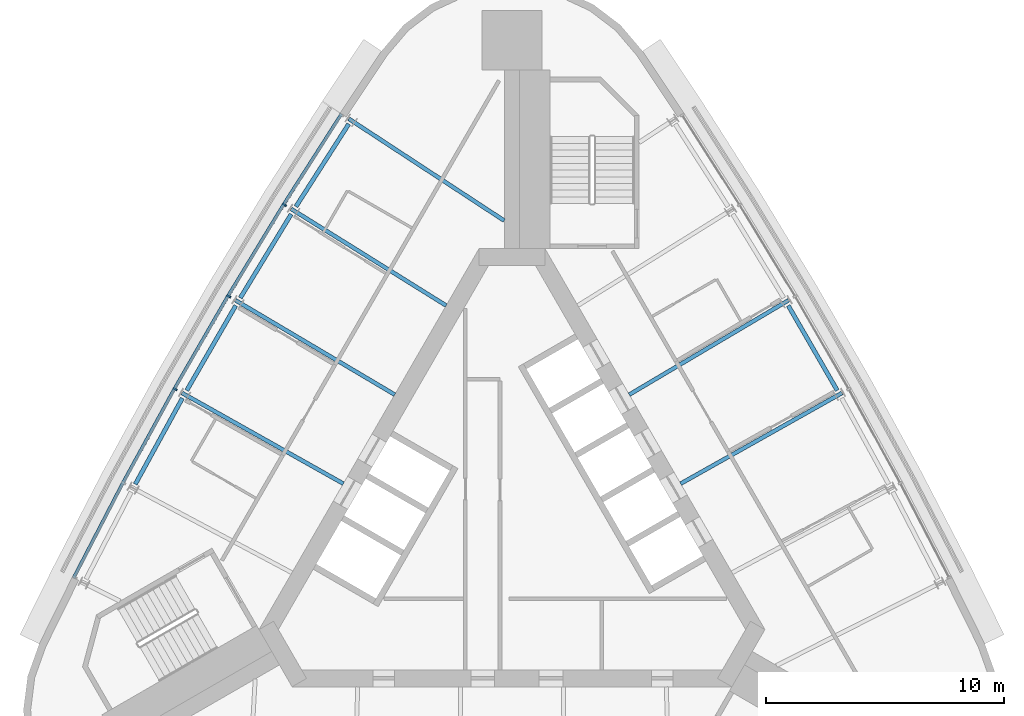
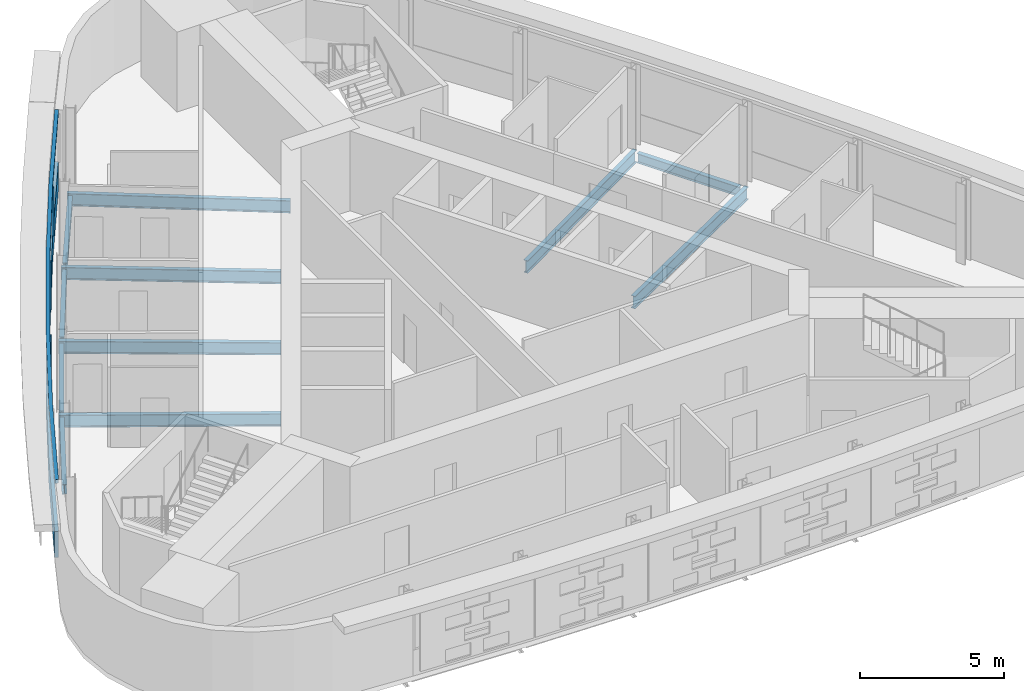
# One storey, part 3 of 9: 11 beams, 5 members, 1 element without a shape of its own.
"""IFC4 building model written with IfcOpenShell, lengths in metres."""

from ifc_helpers import new_model, si_unit, direction, frame, origin, origin_2d, place, context, subcontext, project, spatial, polyline, rectangle, i_section, outline, extrude, material, material_profile, profile_set, type_object, element, aggregate, save


model = new_model("IFC4")

# Units and contexts
model_context = context("Model", 3, precision=1e-05, world=origin(), true_north=direction((0.0, 1.0)))
body_context = subcontext(model_context, "Body", "Model", "MODEL_VIEW")
ifc_project = project(units=[si_unit("LENGTHUNIT", "METRE"), si_unit("AREAUNIT", "SQUARE_METRE"), si_unit("VOLUMEUNIT", "CUBIC_METRE"), si_unit("PLANEANGLEUNIT", "RADIAN"), si_unit("MASSUNIT", "GRAM", prefix="KILO")], contexts=[model_context])

# Site, building, storey
site_placement = place(None, origin())
site = spatial("IfcSite", under=ifc_project, at=site_placement, CompositionType="ELEMENT")
building_placement = place(site_placement, origin())
building = spatial("IfcBuilding", under=site, at=building_placement, Name="Noor Cloister Tower", CompositionType="ELEMENT")
storey_placement = place(building_placement, frame((0.0, 0.0, 232.800048828125)))
storey = spatial("IfcBuildingStorey", under=building, at=storey_placement, Name="L60", CompositionType="ELEMENT", Elevation=232.800048828125)

# Curtain wall, members
ifc_material_1 = material(Name="Aluminium 6063-T6 anodised", Category="aluminium")
curtain_wall_type = type_object("IfcCurtainWallType", Name="Ribbon curtain wall, upper tower CW5", PredefinedType="NOTDEFINED", material=ifc_material_1)
curtain_wall_placement = place(storey_placement, origin())
curtain_wall = element("IfcCurtainWall", 1, at=curtain_wall_placement, inside=storey, type_object=curtain_wall_type, Name="CW5 L60 NW run 1", PredefinedType="NOTDEFINED")
ifc_material_2 = material(Name="Aluminium 6063-T6 anodised", Category="aluminium")
member_type_1 = type_object("IfcMemberType", Name="Head transom CW5 150", PredefinedType="USERDEFINED", material=ifc_material_2)
member_1_placement = place(storey_placement, frame((0.0, 0.0, 3.14990234375)))
member_1 = element("IfcMember", 2, at=member_1_placement, type_object=member_type_1, Name="CW5 head transom", ObjectType="TRANSOM", PredefinedType="USERDEFINED", context=body_context, shape_type="SweptSolid", body=[
    extrude(outline(polyline([(-7.212646484375, 17.147705078125), (-9.63671875, 13.3564453125), (-11.974365234375, 9.511474609375), (-14.224365234375, 5.6142578125), (-16.385498046875, 1.66748046875), (-18.45654296875, -2.32763671875), (-18.332275390625, -2.39208984375), (-16.26171875, 1.6015625), (-14.102294921875, 5.545654296875), (-11.853759765625, 9.43994140625), (-9.517822265625, 13.282470703125), (-7.0947265625, 17.072265625), (-7.212646484375, 17.147705078125)])), origin(), (0.0, 0.0, 1.0), 0.150146484375),
])
ifc_material_3 = material(Name="Aluminium 6063-T6 anodised", Category="aluminium")
ifc_material_profile_1 = material_profile(ifc_material_3, rectangle(XDim=0.179931640625, YDim=0.070068359375, at=origin_2d()), Name="180 x 70 mullion")
ifc_profile_set_1 = profile_set([ifc_material_profile_1], Name="Aluminium 6063-T6 anodised")
member_type_2 = type_object("IfcMemberType", Name="Mullion CW5 70 x 180", PredefinedType="MULLION", material=ifc_profile_set_1)
member_2_placement = place(storey_placement, frame((-9.5517578125, 13.303466796875, 1.099853515625), z_axis=(0.0, 0.0, 1.0), x_axis=(0.848540969148, -0.529129685121, 0.0)))
member_2 = element("IfcMember", 3, at=member_2_placement, type_object=member_type_2, Name="CW5 mullion 2", PredefinedType="MULLION", context=body_context, shape_type="SweptSolid", body=[
    extrude(rectangle(XDim=0.179931640625, YDim=0.070068359375, at=origin_2d()), origin(), (0.0, 0.0, 1.0), 2.050048828125),
])
member_3_placement = place(storey_placement, frame((-11.88818359375, 9.46044921875, 1.099853515625), z_axis=(0.0, 0.0, 1.0), x_axis=(0.860307353002, -0.509775694174, 0.0)))
member_3 = element("IfcMember", 4, at=member_3_placement, type_object=member_type_2, Name="CW5 mullion 3", PredefinedType="MULLION", context=body_context, shape_type="SweptSolid", body=[
    extrude(rectangle(XDim=0.179931640625, YDim=0.070068359375, at=origin_2d()), origin(), (0.0, 0.0, 1.0), 2.050048828125),
])
member_4_placement = place(storey_placement, frame((-14.13720703125, 5.5654296875, 1.099853515625), z_axis=(0.0, 0.0, 1.0), x_axis=(0.871632377887, -0.490160175676, 0.0)))
member_4 = element("IfcMember", 5, at=member_4_placement, type_object=member_type_2, Name="CW5 mullion 4", PredefinedType="MULLION", context=body_context, shape_type="SweptSolid", body=[
    extrude(rectangle(XDim=0.179931640625, YDim=0.070068359375, at=origin_2d()), origin(), (0.0, 0.0, 1.0), 2.050048828125),
])

# Beams
ifc_material_4 = material(Name="Steel ASTM A992 Gr 50", Category="steel")
ifc_material_profile_2 = material_profile(ifc_material_4, i_section(OverallWidth=0.166015625, OverallDepth=0.528076171875, WebThickness=0.009765625, FlangeThickness=0.013671875, FilletRadius=0.0126953125, at=origin_2d()), Name="W530x74")
ifc_profile_set_2 = profile_set([ifc_material_profile_2], Name="Steel ASTM A992 Gr 50")
beam_type_1 = type_object("IfcBeamType", Name="Radial beam W530x74", PredefinedType="BEAM", material=ifc_profile_set_2)
beam_1_placement = place(storey_placement, frame((-6.849609375, 16.90966796875, -0.464111328125), z_axis=(0.836338925819, -0.548212733489, 0.0), x_axis=(0.548212733489, 0.836338925819, 0.0)))
element("IfcBeam", 6, at=beam_1_placement, inside=storey, type_object=beam_type_1, Name="Radial beam NW 01 L60", PredefinedType="BEAM", context=body_context, shape_type="SweptSolid", body=[
    extrude(i_section(OverallWidth=0.166015625, OverallDepth=0.528076171875, WebThickness=0.009765625, FlangeThickness=0.013671875, FilletRadius=0.0126953125, at=origin_2d()), origin(), (0.0, 0.0, 1.0), 7.801513671875),
])
beam_2_placement = place(storey_placement, frame((-9.268310546875, 13.126953125, -0.464111328125), z_axis=(0.848529236207, -0.529148500237, 0.0), x_axis=(0.529148500237, 0.848529236207, 0.0)))
element("IfcBeam", 7, at=beam_2_placement, inside=storey, type_object=beam_type_1, Name="Radial beam NW 02 L60", PredefinedType="BEAM", context=body_context, shape_type="SweptSolid", body=[
    extrude(i_section(OverallWidth=0.166015625, OverallDepth=0.528076171875, WebThickness=0.009765625, FlangeThickness=0.013671875, FilletRadius=0.0126953125, at=origin_2d()), origin(), (0.0, 0.0, 1.0), 7.666259765625),
])
beam_3_placement = place(storey_placement, frame((-11.60107421875, 9.2900390625, -0.464111328125), z_axis=(0.860323710739, -0.509748087529, 0.0), x_axis=(0.509748087529, 0.860323710739, 0.0)))
element("IfcBeam", 8, at=beam_3_placement, inside=storey, type_object=beam_type_1, Name="Radial beam NW 03 L60", PredefinedType="BEAM", context=body_context, shape_type="SweptSolid", body=[
    extrude(i_section(OverallWidth=0.166015625, OverallDepth=0.528076171875, WebThickness=0.009765625, FlangeThickness=0.013671875, FilletRadius=0.0126953125, at=origin_2d()), origin(), (0.0, 0.0, 1.0), 7.76416015625),
])
for number, where, z_axis, x_axis, name in (
    (9, (-13.845947265625, 5.401611328125, -0.464111328125), (0.871628438301, -0.49016718122, 0.0), (0.49016718122, 0.871628438301, 0.0), "Radial beam NW 04 L60"),
    (10, (13.845947265625, 5.401611328125, -0.464111328125), (-0.871628438301, -0.49016718122, 0.0), (0.49016718122, -0.871628438301, 0.0), "Radial beam NE 03 L60"),
):
    element("IfcBeam", number, at=place(storey_placement, frame(where, z_axis=z_axis, x_axis=x_axis)), inside=storey, type_object=beam_type_1, Name=name, PredefinedType="BEAM", context=body_context, shape_type="SweptSolid", body=[
        extrude(i_section(OverallWidth=0.166015625, OverallDepth=0.528076171875, WebThickness=0.009765625, FlangeThickness=0.013671875, FilletRadius=0.0126953125, at=origin_2d()), origin(), (0.0, 0.0, 1.0), 7.763916015625),
    ])
beam_4_placement = place(storey_placement, frame((11.60107421875, 9.2900390625, -0.464111328125), z_axis=(-0.860323710739, -0.509748087529, 0.0), x_axis=(0.509748087529, -0.860323710739, 0.0)))
element("IfcBeam", 11, at=beam_4_placement, inside=storey, type_object=beam_type_1, Name="Radial beam NE 04 L60", PredefinedType="BEAM", context=body_context, shape_type="SweptSolid", body=[
    extrude(i_section(OverallWidth=0.166015625, OverallDepth=0.528076171875, WebThickness=0.009765625, FlangeThickness=0.013671875, FilletRadius=0.0126953125, at=origin_2d()), origin(), (0.0, 0.0, 1.0), 7.76416015625),
])

# Member
ifc_material_5 = material(Name="Aluminium 6063-T6 anodised", Category="aluminium")
member_type_3 = type_object("IfcMemberType", Name="Sill transom CW5 1100", PredefinedType="USERDEFINED", material=ifc_material_5)
member_5_placement = place(storey_placement, origin())
member_5 = element("IfcMember", 12, at=member_5_placement, type_object=member_type_3, Name="CW5 sill transom", ObjectType="TRANSOM", PredefinedType="USERDEFINED", context=body_context, shape_type="SweptSolid", body=[
    extrude(outline(polyline([(-7.212646484375, 17.147705078125), (-9.63671875, 13.3564453125), (-11.974365234375, 9.511474609375), (-14.224365234375, 5.6142578125), (-16.385498046875, 1.66748046875), (-18.45654296875, -2.32763671875), (-18.332275390625, -2.39208984375), (-16.26171875, 1.6015625), (-14.102294921875, 5.545654296875), (-11.853759765625, 9.43994140625), (-9.517822265625, 13.282470703125), (-7.0947265625, 17.072265625), (-7.212646484375, 17.147705078125)])), origin(), (0.0, 0.0, 1.0), 1.099853515625),
])

aggregate(curtain_wall, [member_2, member_3, member_4, member_5, member_1])

# Beams
ifc_material_6 = material(Name="Steel ASTM A992 Gr 50", Category="steel")
ifc_material_profile_3 = material_profile(ifc_material_6, i_section(OverallWidth=0.177978515625, OverallDepth=0.406005859375, WebThickness=0.0078125, FlangeThickness=0.0126953125, FilletRadius=0.01025390625, at=origin_2d()), Name="W410x60")
ifc_profile_set_3 = profile_set([ifc_material_profile_3], Name="Steel ASTM A992 Gr 50")
beam_type_2 = type_object("IfcBeamType", Name="Spandrel beam W410x60", PredefinedType="SPANDREL", material=ifc_profile_set_3)
for number, where, z_axis, x_axis, name in (
    (13, (-6.85302734375, 16.68896484375, -0.403076171875), (-0.538728678653, -0.842479323661, 0.0), (0.842479323661, -0.538728678653, 0.0), "Spandrel beam NW 01 L60"),
    (14, (-9.266845703125, 12.906005859375, -0.403076171875), (-0.519504501884, -0.854467712978, 0.0), (0.854467712978, -0.519504501884, 0.0), "Spandrel beam NW 02 L60"),
    (15, (-11.594482421875, 9.069580078125, -0.403076171875), (-0.499980988965, -0.866036379533, 0.0), (0.866036379533, -0.499980988965, 0.0), "Spandrel beam NW 03 L60"),
    (16, (-13.83447265625, 5.18115234375, -0.403076171875), (-0.480273321949, -0.877118883746, 0.0), (0.877118883746, -0.480273321949, 0.0), "Spandrel beam NW 04 L60"),
    (17, (13.651611328125, 5.50634765625, -0.403076171875), (-0.499980988965, 0.866036379533, 0.0), (-0.866036379533, -0.499980988965, 0.0), "Spandrel beam NE 03 L60"),
):
    element("IfcBeam", number, at=place(storey_placement, frame(where, z_axis=z_axis, x_axis=x_axis)), inside=storey, type_object=beam_type_2, Name=name, PredefinedType="SPANDREL", context=body_context, shape_type="SweptSolid", body=[
        extrude(i_section(OverallWidth=0.177978515625, OverallDepth=0.406005859375, WebThickness=0.0078125, FlangeThickness=0.0126953125, FilletRadius=0.01025390625, at=origin_2d()), origin(), (0.0, 0.0, 1.0), 4.114501953125),
    ])

save(model, "model.ifc")
